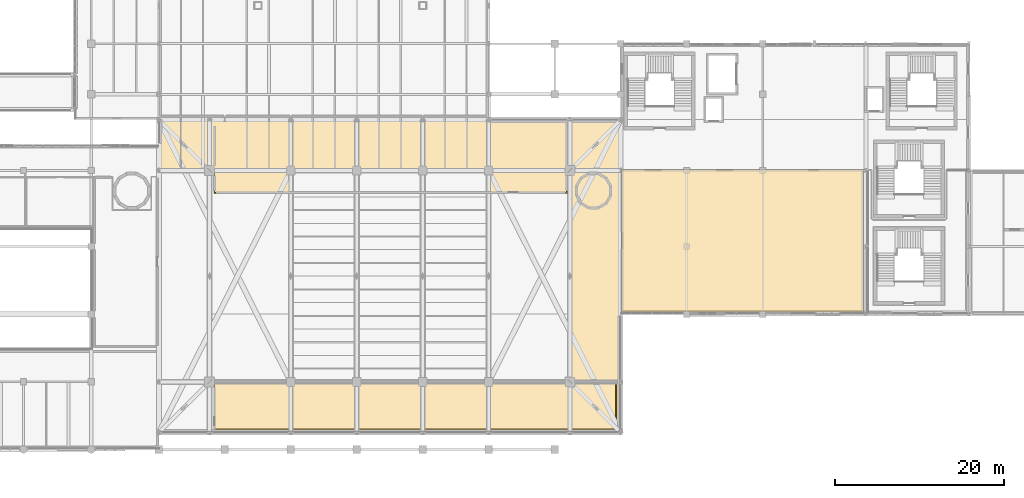
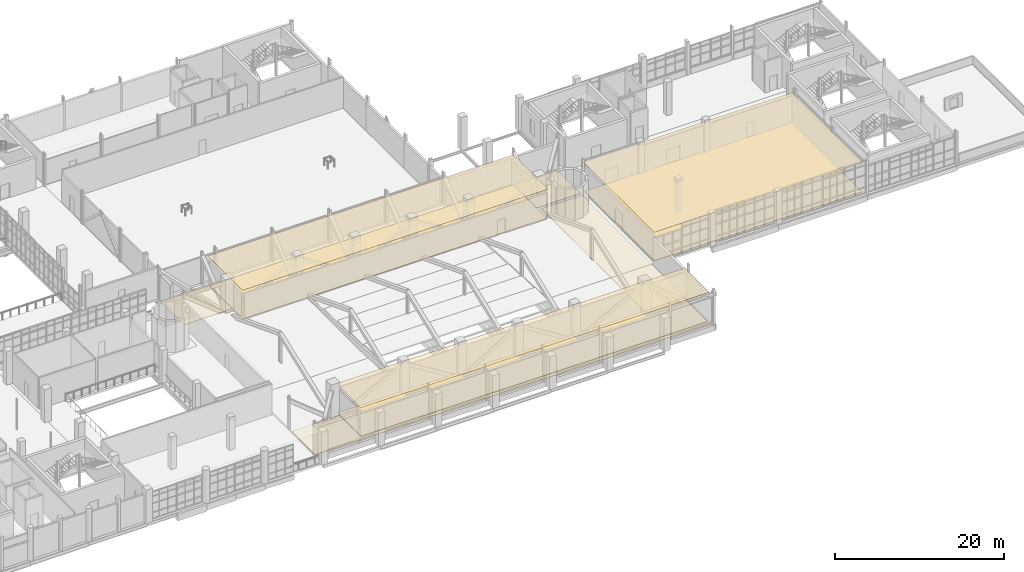
# One storey, part 124 of 127: 9 coverings.
"""IFC4 building model written with IfcOpenShell, lengths in metres."""

from ifc_helpers import new_model, si_unit, derived_unit, direction, frame, origin, place, context, subcontext, project, spatial, polyline, outline, extrude, material, layer, layer_set, type_object, element, save


model = new_model("IFC4")

# Units and contexts
model_context = context("Model", 3, precision=1e-05, world=origin(), true_north=direction((0.0, 1.0)))
body_context = subcontext(model_context, "Body", "Model", "MODEL_VIEW")
ifc_project = project(units=[si_unit("LENGTHUNIT", "METRE"), si_unit("AREAUNIT", "SQUARE_METRE"), si_unit("VOLUMEUNIT", "CUBIC_METRE"), si_unit("PLANEANGLEUNIT", "RADIAN"), si_unit("MASSUNIT", "GRAM", prefix="KILO"), derived_unit("THERMALTRANSMITTANCEUNIT", [(si_unit("POWERUNIT", "WATT"), 1), (si_unit("LENGTHUNIT", "METRE"), -2), (si_unit("THERMODYNAMICTEMPERATUREUNIT", "KELVIN"), -1)])], contexts=[model_context])

# Site, building, storey
site_placement = place(None, origin())
site = spatial("IfcSite", under=ifc_project, at=site_placement, CompositionType="ELEMENT")
building_placement = place(site_placement, origin())
building = spatial("IfcBuilding", under=site, at=building_placement, Name="Nallur Shell Playhouse", CompositionType="ELEMENT")
storey_placement = place(building_placement, frame((0.0, 0.0, 5.39990234375)))
storey = spatial("IfcBuildingStorey", under=building, at=storey_placement, Name="L02", CompositionType="ELEMENT", Elevation=5.39990234375)

# Coverings
ifc_material_1 = material(Name="Micro-Perforated Teak Veneer Acoustic Baffle Ceiling")
ifc_layer_1 = layer(ifc_material_1, 0.044921875)
ifc_layer_set_1 = layer_set([ifc_layer_1], Name="Micro-Perforated Teak Veneer Acoustic Baffle Ceiling")
covering_type_1 = type_object("IfcCoveringType", Name="CV-CEIL-AC1", PredefinedType="CEILING", material=ifc_layer_set_1)
covering_1_placement = place(storey_placement, frame((0.0, 0.0, 4.205078125)))
element("IfcCovering", 1, at=covering_1_placement, inside=storey, type_object=covering_type_1, Name="Main Theatre Auditorium Stalls Bowl suspended acoustic ceiling", PredefinedType="CEILING", context=body_context, shape_type="SweptSolid", body=[
    extrude(outline(polyline([(112.31005859375, 46.510009765625), (112.31005859375, 38.2900390625), (70.489990234375, 38.2900390625), (70.489990234375, 46.510009765625), (112.31005859375, 46.510009765625)])), origin(), (0.0, 0.0, 1.0), 0.044921875),
])
covering_2_placement = place(storey_placement, frame((0.0, 0.0, 4.205078125)))
element("IfcCovering", 2, at=covering_2_placement, inside=storey, type_object=covering_type_1, Name="Studio Theatre Pre-Function Foyer suspended acoustic ceiling", PredefinedType="CEILING", context=body_context, shape_type="SweptSolid", body=[
    extrude(outline(polyline([(147.31005859375, 41.110107421875), (147.31005859375, 24.2900390625), (118.68994140625, 24.2900390625), (118.68994140625, 41.110107421875), (147.31005859375, 41.110107421875)])), origin(), (0.0, 0.0, 1.0), 0.044921875),
])
ifc_material_2 = material(Name="Mineral-Fibre High-NRC Suspended Ceiling Tile")
ifc_layer_2 = layer(ifc_material_2, 0.030029296875)
ifc_layer_set_2 = layer_set([ifc_layer_2], Name="Mineral-Fibre High-NRC Suspended Ceiling Tile")
covering_type_2 = type_object("IfcCoveringType", Name="CV-CEIL-AC2", PredefinedType="CEILING", material=ifc_layer_set_2)
covering_3_placement = place(storey_placement, frame((0.0, 0.0, 4.22021484375)))
element("IfcCovering", 3, at=covering_3_placement, inside=storey, type_object=covering_type_2, Name="South Cantilevered Stalls Foyer Gallery suspended acoustic ceiling", PredefinedType="CEILING", context=body_context, shape_type="SweptSolid", body=[
    extrude(outline(polyline([(118.110107421875, 16.110107421875), (118.110107421875, 10.2900390625), (70.489990234375, 10.2900390625), (70.489990234375, 16.110107421875), (118.110107421875, 16.110107421875)])), origin(), (0.0, 0.0, 1.0), 0.02978515625),
])
ifc_material_3 = material(Name="Heavy-Duty Woven Wool Auditorium Acoustic Flooring")
ifc_layer_3 = layer(ifc_material_3, 0.02001953125)
ifc_layer_set_3 = layer_set([ifc_layer_3], Name="Heavy-Duty Woven Wool Auditorium Acoustic Flooring")
covering_type_3 = type_object("IfcCoveringType", Name="CV-FLOR-CARPET", PredefinedType="FLOORING", material=ifc_layer_set_3)
covering_4_placement = place(storey_placement, origin())
element("IfcCovering", 4, at=covering_4_placement, inside=storey, type_object=covering_type_3, Name="Main Theatre Auditorium Stalls Bowl floor finish", PredefinedType="FLOORING", context=body_context, shape_type="SweptSolid", body=[
    extrude(outline(polyline([(112.199951171875, 46.39990234375), (112.199951171875, 38.39990234375), (70.60009765625, 38.39990234375), (70.60009765625, 46.39990234375), (112.199951171875, 46.39990234375)])), origin(), (0.0, 0.0, 1.0), 0.02001953125),
])
ifc_material_4 = material(Name="Polished Chettinad Oxide & White Marble Terrazzo Flooring", Category="masonry")
ifc_layer_4 = layer(ifc_material_4, 0.050048828125)
ifc_layer_set_4 = layer_set([ifc_layer_4], Name="Polished Chettinad Oxide & White Marble Terrazzo Flooring")
covering_type_4 = type_object("IfcCoveringType", Name="CV-FLOR-TERRAZZO", PredefinedType="FLOORING", material=ifc_layer_set_4)
covering_5_placement = place(storey_placement, origin())
element("IfcCovering", 5, at=covering_5_placement, inside=storey, type_object=covering_type_4, Name="South Cantilevered Stalls Foyer Gallery floor finish", PredefinedType="FLOORING", context=body_context, shape_type="SweptSolid", body=[
    extrude(outline(polyline([(118.0, 16.0), (118.0, 10.39990234375), (70.60009765625, 10.39990234375), (70.60009765625, 16.0), (118.0, 16.0)])), origin(), (0.0, 0.0, 1.0), 0.050048828125),
])
covering_6_placement = place(storey_placement, origin())
element("IfcCovering", 6, at=covering_6_placement, inside=storey, type_object=covering_type_4, Name="Studio Theatre Pre-Function Foyer floor finish", PredefinedType="FLOORING", context=body_context, shape_type="SweptSolid", body=[
    extrude(outline(polyline([(147.199951171875, 41.0), (147.199951171875, 24.39990234375), (118.800048828125, 24.39990234375), (118.800048828125, 41.0), (147.199951171875, 41.0)])), origin(), (0.0, 0.0, 1.0), 0.050048828125),
])
ifc_material_5 = material(Name="Gold-Anodised Perforated Aluminium Cantilever Soffit", Category="aluminium")
ifc_layer_5 = layer(ifc_material_5, 0.044921875)
ifc_layer_set_5 = layer_set([ifc_layer_5], Name="Gold-Anodised Perforated Aluminium Cantilever Soffit")
covering_type_5 = type_object("IfcCoveringType", Name="CV-SOFFIT-CLAD", PredefinedType="CLADDING", material=ifc_layer_set_5)
covering_7_placement = place(storey_placement, frame((0.0, 0.0, -0.324951171875)))
element("IfcCovering", 7, at=covering_7_placement, inside=storey, type_object=covering_type_5, Name="Cantilevered Gold Box acoustic soffit cladding 01", PredefinedType="CLADDING", context=body_context, shape_type="SweptSolid", body=[
    extrude(outline(polyline([(64.199951171875, 10.199951171875), (118.39990234375, 10.199951171875), (118.39990234375, 15.800048828125), (64.199951171875, 15.800048828125), (64.199951171875, 10.199951171875)])), origin(), (0.0, 0.0, 1.0), 0.050048828125),
])
covering_8_placement = place(storey_placement, frame((0.0, 0.0, -0.324951171875)))
element("IfcCovering", 8, at=covering_8_placement, inside=storey, type_object=covering_type_5, Name="Cantilevered Gold Box acoustic soffit cladding 02", PredefinedType="CLADDING", context=body_context, shape_type="SweptSolid", body=[
    extrude(outline(polyline([(64.199951171875, 41.199951171875), (118.39990234375, 41.199951171875), (118.39990234375, 46.800048828125), (64.199951171875, 46.800048828125), (64.199951171875, 41.199951171875)])), origin(), (0.0, 0.0, 1.0), 0.050048828125),
])
covering_9_placement = place(storey_placement, frame((0.0, 0.0, -0.324951171875)))
element("IfcCovering", 9, at=covering_9_placement, inside=storey, type_object=covering_type_5, Name="Cantilevered Gold Box acoustic soffit cladding 04", PredefinedType="CLADDING", context=body_context, shape_type="SweptSolid", body=[
    extrude(outline(polyline([(112.800048828125, 16.199951171875), (118.39990234375, 16.199951171875), (118.39990234375, 40.800048828125), (112.800048828125, 40.800048828125), (112.800048828125, 16.199951171875)])), origin(), (0.0, 0.0, 1.0), 0.050048828125),
])

save(model, "model.ifc")
